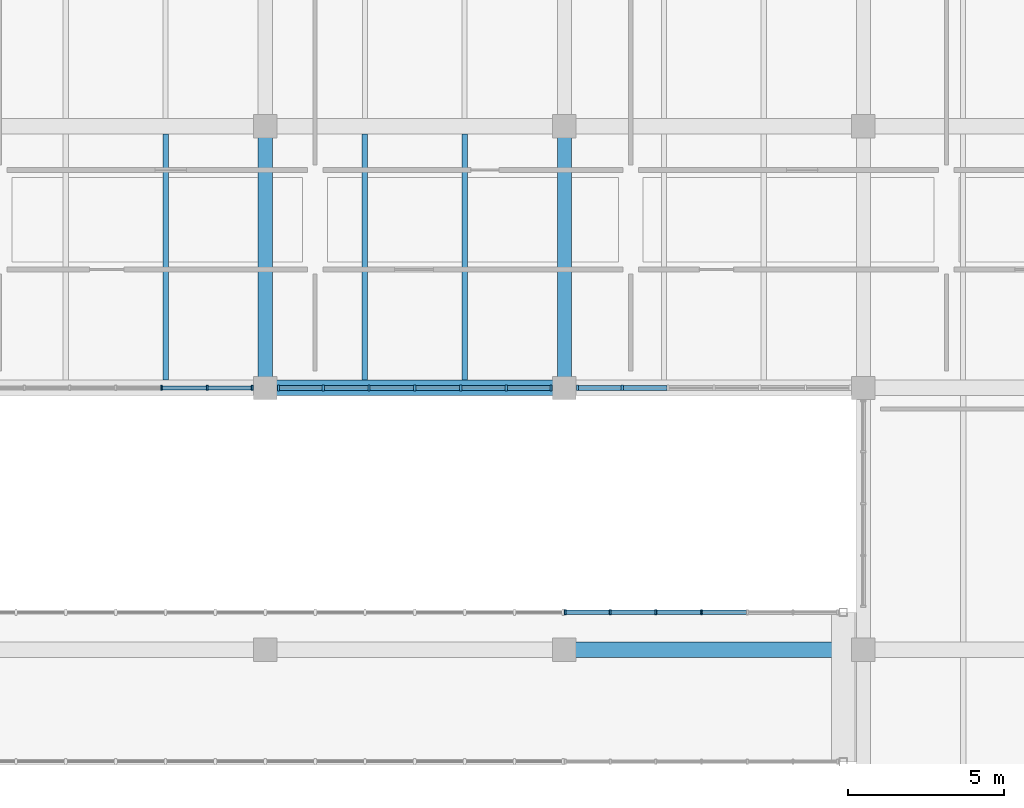
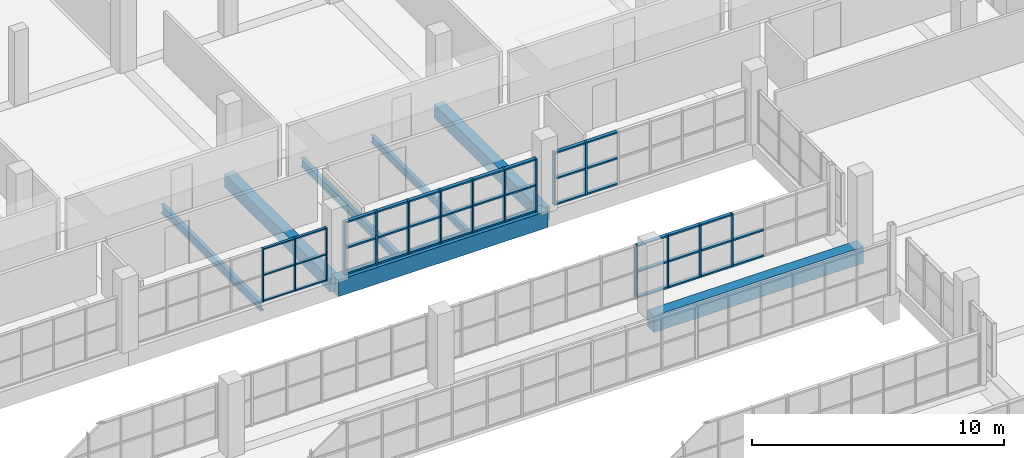
# One storey, part 66 of 147: 57 members, 7 beams, 4 elements without a shape of their own.
"""IFC4 building model written with IfcOpenShell, lengths in metres."""

from ifc_helpers import new_model, si_unit, direction, frame, origin, origin_2d, place, context, subcontext, project, spatial, rectangle, i_section, extrude, material, material_profile, profile_set, type_object, element, aggregate, save


model = new_model("IFC4")

# Units and contexts
model_context = context("Model", 3, precision=1e-05, world=origin(), true_north=direction((0.0, 1.0)))
body_context = subcontext(model_context, "Body", "Model", "MODEL_VIEW")
ifc_project = project(units=[si_unit("LENGTHUNIT", "METRE"), si_unit("AREAUNIT", "SQUARE_METRE"), si_unit("VOLUMEUNIT", "CUBIC_METRE"), si_unit("PLANEANGLEUNIT", "RADIAN"), si_unit("MASSUNIT", "GRAM", prefix="KILO")], contexts=[model_context])

# Site, building, storey
site_placement = place(None, origin())
site = spatial("IfcSite", under=ifc_project, at=site_placement, CompositionType="ELEMENT")
building_placement = place(site_placement, origin())
building = spatial("IfcBuilding", under=site, at=building_placement, Name="Oolite Switchyard Hospital", CompositionType="ELEMENT")
storey_placement = place(building_placement, frame((0.0, 0.0, 9.89990234375)))
storey = spatial("IfcBuildingStorey", under=building, at=storey_placement, Name="L02", CompositionType="ELEMENT", Elevation=9.89990234375)

# Beams
ifc_material_1 = material(Name="Concrete C40/50", Category="concrete")
ifc_material_profile_1 = material_profile(ifc_material_1, rectangle(XDim=0.449951171875, YDim=0.64990234375, at=origin_2d()), Name="RCB450X650")
ifc_profile_set_1 = profile_set([ifc_material_profile_1], Name="Concrete C40/50")
beam_type_1 = type_object("IfcBeamType", Name="BM-RC450X650", PredefinedType="BEAM", material=ifc_profile_set_1)
for number, where, z_axis, x_axis, name in (
    (1, (163.199951171875, 58.800048828125, -0.324951171875), (0.0, 1.0, 0.0), (-1.0, 0.0, 0.0), "L02 Y-Girder 1445"),
    (2, (172.800048828125, 58.800048828125, -0.324951171875), (0.0, 1.0, 0.0), (-1.0, 0.0, 0.0), "L02 Y-Girder 1456"),
):
    element("IfcBeam", number, at=place(storey_placement, frame(where, z_axis=z_axis, x_axis=x_axis)), inside=storey, type_object=beam_type_1, Name=name, PredefinedType="BEAM", context=body_context, shape_type="SweptSolid", body=[
        extrude(rectangle(XDim=0.449951171875, YDim=0.64990234375, at=origin_2d()), origin(), (0.0, 0.0, 1.0), 8.39990234375),
    ])
ifc_material_profile_2 = material_profile(ifc_material_1, rectangle(XDim=0.5, YDim=0.800048828125, at=origin_2d()), Name="RCB500X800")
ifc_profile_set_2 = profile_set([ifc_material_profile_2], Name="Concrete C40/50")
beam_type_2 = type_object("IfcBeamType", Name="BM-RC500X800", PredefinedType="BEAM", material=ifc_profile_set_2)
beam_1_placement = place(storey_placement, frame((172.800048828125, 50.39990234375, -0.39990234375), z_axis=(1.0, 0.0, 0.0), x_axis=(0.0, 1.0, 0.0)))
element("IfcBeam", 3, at=beam_1_placement, inside=storey, type_object=beam_type_2, Name="L02 X-Girder 1074", PredefinedType="BEAM", context=body_context, shape_type="SweptSolid", body=[
    extrude(rectangle(XDim=0.5, YDim=0.800048828125, at=origin_2d()), origin(), (0.0, 0.0, 1.0), 9.599853515625),
])
beam_2_placement = place(storey_placement, frame((163.199951171875, 58.800048828125, -0.39990234375), z_axis=(1.0, 0.0, 0.0), x_axis=(0.0, 1.0, 0.0)))
element("IfcBeam", 4, at=beam_2_placement, inside=storey, type_object=beam_type_2, Name="L02 X-Girder 1089", PredefinedType="BEAM", context=body_context, shape_type="SweptSolid", body=[
    extrude(rectangle(XDim=0.5, YDim=0.800048828125, at=origin_2d()), origin(), (0.0, 0.0, 1.0), 9.60009765625),
])
ifc_material_2 = material(Name="Steel ASTM A992 Grade 50", Category="steel")
ifc_material_profile_3 = material_profile(ifc_material_2, i_section(OverallWidth=0.1708984375, OverallDepth=0.35107421875, WebThickness=0.007080078125, FlangeThickness=0.010009765625, at=origin_2d()), Name="W14X30")
ifc_profile_set_3 = profile_set([ifc_material_profile_3], Name="Steel ASTM A992 Grade 50")
beam_type_3 = type_object("IfcBeamType", Name="BM-W14X30", PredefinedType="JOIST", material=ifc_profile_set_3)
beam_3_placement = place(storey_placement, frame((169.60009765625, 59.050048828125, -0.434814453125), z_axis=(0.0, 1.0, 0.0), x_axis=(-1.0, 0.0, 0.0)))
element("IfcBeam", 5, at=beam_3_placement, inside=storey, type_object=beam_type_3, Name="L02 Secondary Steel Joist 1837", PredefinedType="JOIST", context=body_context, shape_type="SweptSolid", body=[
    extrude(i_section(OverallWidth=0.1708984375, OverallDepth=0.35107421875, WebThickness=0.007080078125, FlangeThickness=0.010009765625, at=origin_2d()), origin(), (0.0, 0.0, 1.0), 7.89990234375),
])
ifc_material_profile_4 = material_profile(ifc_material_2, i_section(OverallWidth=0.177978515625, OverallDepth=0.403076171875, WebThickness=0.008056640625, FlangeThickness=0.010986328125, at=origin_2d()), Name="W16X36")
ifc_profile_set_4 = profile_set([ifc_material_profile_4], Name="Steel ASTM A992 Grade 50")
beam_type_4 = type_object("IfcBeamType", Name="BM-W16X36", PredefinedType="JOIST", material=ifc_profile_set_4)
for number, where, z_axis, x_axis, name in (
    (6, (160.0, 59.050048828125, -0.4609375), (0.0, 1.0, 0.0), (-1.0, 0.0, 0.0), "L02 Secondary Steel Joist 1817"),
    (7, (166.39990234375, 59.050048828125, -0.4609375), (0.0, 1.0, 0.0), (-1.0, 0.0, 0.0), "L02 Secondary Steel Joist 1836"),
):
    element("IfcBeam", number, at=place(storey_placement, frame(where, z_axis=z_axis, x_axis=x_axis)), inside=storey, type_object=beam_type_4, Name=name, PredefinedType="JOIST", context=body_context, shape_type="SweptSolid", body=[
        extrude(i_section(OverallWidth=0.177978515625, OverallDepth=0.403076171875, WebThickness=0.008056640625, FlangeThickness=0.010986328125, at=origin_2d()), origin(), (0.0, 0.0, 1.0), 7.89990234375),
    ])

# Curtain wall, members
ifc_material_3 = material(Name="Thermally broken aluminum frame with laminated impact glazing", Category="aluminium")
curtain_wall_type_1 = type_object("IfcCurtainWallType", Name="CW-BRG-96X38", PredefinedType="USERDEFINED", material=ifc_material_3)
curtain_wall_1_placement = place(storey_placement, origin())
curtain_wall_1 = element("IfcCurtainWall", 8, at=curtain_wall_1_placement, inside=storey, type_object=curtain_wall_type_1, Name="L02 Unitised Curtain Wall 241", ObjectType="UNITISED", PredefinedType="USERDEFINED")
ifc_material_4 = material(Name="Aluminium 6063-T6", Category="aluminium")
ifc_material_profile_5 = material_profile(ifc_material_4, rectangle(XDim=0.159912109375, YDim=0.06005859375, at=origin_2d()), Name="CWM60X160")
ifc_profile_set_5 = profile_set([ifc_material_profile_5], Name="Aluminium 6063-T6")
member_type_1 = type_object("IfcMemberType", Name="CW-MUL-180", PredefinedType="MULLION", material=ifc_profile_set_5)
member_1_placement = place(storey_placement, frame((172.830078125, 51.60009765625, 0.0), z_axis=(0.0, 0.0, 1.0), x_axis=(0.0, 1.0, 0.0)))
member_1 = element("IfcMember", 9, at=member_1_placement, type_object=member_type_1, Name="CW-12 mullion 1", PredefinedType="MULLION", context=body_context, shape_type="SweptSolid", body=[
    extrude(rectangle(XDim=0.159912109375, YDim=0.06005859375, at=origin_2d()), origin(), (0.0, 0.0, 1.0), 2.570068359375),
])
member_2_placement = place(storey_placement, frame((174.26806640625, 51.60009765625, 0.0), z_axis=(0.0, 0.0, 1.0), x_axis=(0.0, 1.0, 0.0)))
member_2 = element("IfcMember", 10, at=member_2_placement, type_object=member_type_1, Name="CW-12 mullion 2", PredefinedType="MULLION", context=body_context, shape_type="SweptSolid", body=[
    extrude(rectangle(XDim=0.159912109375, YDim=0.06005859375, at=origin_2d()), origin(), (0.0, 0.0, 1.0), 2.570068359375),
])
member_3_placement = place(storey_placement, frame((175.736083984375, 51.60009765625, 0.0), z_axis=(0.0, 0.0, 1.0), x_axis=(0.0, 1.0, 0.0)))
member_3 = element("IfcMember", 11, at=member_3_placement, type_object=member_type_1, Name="CW-12 mullion 3", PredefinedType="MULLION", context=body_context, shape_type="SweptSolid", body=[
    extrude(rectangle(XDim=0.159912109375, YDim=0.06005859375, at=origin_2d()), origin(), (0.0, 0.0, 1.0), 2.570068359375),
])
member_4_placement = place(storey_placement, frame((177.2041015625, 51.60009765625, 0.0), z_axis=(0.0, 0.0, 1.0), x_axis=(0.0, 1.0, 0.0)))
member_4 = element("IfcMember", 12, at=member_4_placement, type_object=member_type_1, Name="CW-12 mullion 4", PredefinedType="MULLION", context=body_context, shape_type="SweptSolid", body=[
    extrude(rectangle(XDim=0.159912109375, YDim=0.06005859375, at=origin_2d()), origin(), (0.0, 0.0, 1.0), 2.570068359375),
])

curtain_wall_type_2 = type_object("IfcCurtainWallType", Name="CW-UNIT-96X36", PredefinedType="USERDEFINED", material=ifc_material_3)
curtain_wall_2_placement = place(storey_placement, origin())
curtain_wall_2 = element("IfcCurtainWall", 13, at=curtain_wall_2_placement, inside=storey, type_object=curtain_wall_type_2, Name="L02 Unitised Curtain Wall 244", ObjectType="UNITISED", PredefinedType="USERDEFINED")
member_5_placement = place(storey_placement, frame((162.780029296875, 58.800048828125, 0.0), z_axis=(0.0, 0.0, 1.0), x_axis=(0.0, -1.0, 0.0)))
member_5 = element("IfcMember", 14, at=member_5_placement, type_object=member_type_1, Name="CW-03 mullion 1", PredefinedType="MULLION", context=body_context, shape_type="SweptSolid", body=[
    extrude(rectangle(XDim=0.159912109375, YDim=0.06005859375, at=origin_2d()), origin(), (0.0, 0.0, 1.0), 2.570068359375),
])
member_6_placement = place(storey_placement, frame((161.340087890625, 58.800048828125, 0.0), z_axis=(0.0, 0.0, 1.0), x_axis=(0.0, -1.0, 0.0)))
member_6 = element("IfcMember", 15, at=member_6_placement, type_object=member_type_1, Name="CW-03 mullion 2", PredefinedType="MULLION", context=body_context, shape_type="SweptSolid", body=[
    extrude(rectangle(XDim=0.159912109375, YDim=0.06005859375, at=origin_2d()), origin(), (0.0, 0.0, 1.0), 2.570068359375),
])
member_7_placement = place(storey_placement, frame((159.8701171875, 58.800048828125, 0.0), z_axis=(0.0, 0.0, 1.0), x_axis=(0.0, -1.0, 0.0)))
member_7 = element("IfcMember", 16, at=member_7_placement, type_object=member_type_1, Name="CW-03 mullion 3", PredefinedType="MULLION", context=body_context, shape_type="SweptSolid", body=[
    extrude(rectangle(XDim=0.159912109375, YDim=0.06005859375, at=origin_2d()), origin(), (0.0, 0.0, 1.0), 2.570068359375),
])

curtain_wall_3_placement = place(storey_placement, origin())
curtain_wall_3 = element("IfcCurtainWall", 17, at=curtain_wall_3_placement, inside=storey, type_object=curtain_wall_type_2, Name="L02 Unitised Curtain Wall 245", ObjectType="UNITISED", PredefinedType="USERDEFINED")
ifc_material_profile_6 = material_profile(ifc_material_4, rectangle(XDim=0.179931640625, YDim=0.070068359375, at=origin_2d()), Name="CWM70X180")
ifc_profile_set_6 = profile_set([ifc_material_profile_6], Name="Aluminium 6063-T6")
member_type_2 = type_object("IfcMemberType", Name="CW-MUL-220", PredefinedType="MULLION", material=ifc_profile_set_6)
member_8_placement = place(storey_placement, frame((174.659912109375, 58.800048828125, 0.0), z_axis=(0.0, 0.0, 1.0), x_axis=(0.0, -1.0, 0.0)))
member_8 = element("IfcMember", 18, at=member_8_placement, type_object=member_type_2, Name="CW-03 mullion 6", PredefinedType="MULLION", context=body_context, shape_type="SweptSolid", body=[
    extrude(rectangle(XDim=0.179931640625, YDim=0.070068359375, at=origin_2d()), origin(), (0.0, 0.0, 1.0), 2.570068359375),
])
member_9_placement = place(storey_placement, frame((173.22509765625, 58.800048828125, 0.0), z_axis=(0.0, 0.0, 1.0), x_axis=(0.0, -1.0, 0.0)))
member_9 = element("IfcMember", 19, at=member_9_placement, type_object=member_type_2, Name="CW-03 mullion 7", PredefinedType="MULLION", context=body_context, shape_type="SweptSolid", body=[
    extrude(rectangle(XDim=0.179931640625, YDim=0.070068359375, at=origin_2d()), origin(), (0.0, 0.0, 1.0), 2.570068359375),
])

curtain_wall_4_placement = place(storey_placement, origin())
curtain_wall_4 = element("IfcCurtainWall", 20, at=curtain_wall_4_placement, inside=storey, type_object=curtain_wall_type_2, Name="L02 Unitised Curtain Wall 243", ObjectType="UNITISED", PredefinedType="USERDEFINED")
ifc_material_profile_7 = material_profile(ifc_material_4, rectangle(XDim=0.199951171875, YDim=0.074951171875, at=origin_2d()), Name="CWM75X200")
ifc_profile_set_7 = profile_set([ifc_material_profile_7], Name="Aluminium 6063-T6")
member_type_3 = type_object("IfcMemberType", Name="CW-MUL-260", PredefinedType="MULLION", material=ifc_profile_set_7)
member_10_placement = place(storey_placement, frame((172.37255859375, 58.800048828125, 0.0), z_axis=(0.0, 0.0, 1.0), x_axis=(0.0, -1.0, 0.0)))
member_10 = element("IfcMember", 21, at=member_10_placement, type_object=member_type_3, Name="CW-03 mullion 1", PredefinedType="MULLION", context=body_context, shape_type="SweptSolid", body=[
    extrude(rectangle(XDim=0.199951171875, YDim=0.074951171875, at=origin_2d()), origin(), (0.0, 0.0, 1.0), 2.570068359375),
])
member_11_placement = place(storey_placement, frame((170.93994140625, 58.800048828125, 0.0), z_axis=(0.0, 0.0, 1.0), x_axis=(0.0, -1.0, 0.0)))
member_11 = element("IfcMember", 22, at=member_11_placement, type_object=member_type_3, Name="CW-03 mullion 2", PredefinedType="MULLION", context=body_context, shape_type="SweptSolid", body=[
    extrude(rectangle(XDim=0.199951171875, YDim=0.074951171875, at=origin_2d()), origin(), (0.0, 0.0, 1.0), 2.570068359375),
])
member_12_placement = place(storey_placement, frame((169.469970703125, 58.800048828125, 0.0), z_axis=(0.0, 0.0, 1.0), x_axis=(0.0, -1.0, 0.0)))
member_12 = element("IfcMember", 23, at=member_12_placement, type_object=member_type_3, Name="CW-03 mullion 3", PredefinedType="MULLION", context=body_context, shape_type="SweptSolid", body=[
    extrude(rectangle(XDim=0.199951171875, YDim=0.074951171875, at=origin_2d()), origin(), (0.0, 0.0, 1.0), 2.570068359375),
])
member_13_placement = place(storey_placement, frame((168.0, 58.800048828125, 0.0), z_axis=(0.0, 0.0, 1.0), x_axis=(0.0, -1.0, 0.0)))
member_13 = element("IfcMember", 24, at=member_13_placement, type_object=member_type_3, Name="CW-03 mullion 4", PredefinedType="MULLION", context=body_context, shape_type="SweptSolid", body=[
    extrude(rectangle(XDim=0.199951171875, YDim=0.074951171875, at=origin_2d()), origin(), (0.0, 0.0, 1.0), 2.570068359375),
])
member_14_placement = place(storey_placement, frame((166.530029296875, 58.800048828125, 0.0), z_axis=(0.0, 0.0, 1.0), x_axis=(0.0, -1.0, 0.0)))
member_14 = element("IfcMember", 25, at=member_14_placement, type_object=member_type_3, Name="CW-03 mullion 5", PredefinedType="MULLION", context=body_context, shape_type="SweptSolid", body=[
    extrude(rectangle(XDim=0.199951171875, YDim=0.074951171875, at=origin_2d()), origin(), (0.0, 0.0, 1.0), 2.570068359375),
])
member_15_placement = place(storey_placement, frame((165.06005859375, 58.800048828125, 0.0), z_axis=(0.0, 0.0, 1.0), x_axis=(0.0, -1.0, 0.0)))
member_15 = element("IfcMember", 26, at=member_15_placement, type_object=member_type_3, Name="CW-03 mullion 6", PredefinedType="MULLION", context=body_context, shape_type="SweptSolid", body=[
    extrude(rectangle(XDim=0.199951171875, YDim=0.074951171875, at=origin_2d()), origin(), (0.0, 0.0, 1.0), 2.570068359375),
])
member_16_placement = place(storey_placement, frame((163.62744140625, 58.800048828125, 0.0), z_axis=(0.0, 0.0, 1.0), x_axis=(0.0, -1.0, 0.0)))
member_16 = element("IfcMember", 27, at=member_16_placement, type_object=member_type_3, Name="CW-03 mullion 7", PredefinedType="MULLION", context=body_context, shape_type="SweptSolid", body=[
    extrude(rectangle(XDim=0.199951171875, YDim=0.074951171875, at=origin_2d()), origin(), (0.0, 0.0, 1.0), 2.570068359375),
])

# Member
ifc_material_profile_8 = material_profile(ifc_material_4, rectangle(XDim=0.1201171875, YDim=0.06005859375, at=origin_2d()), Name="CWT60X120")
ifc_profile_set_8 = profile_set([ifc_material_profile_8], Name="Aluminium 6063-T6")
member_type_4 = type_object("IfcMemberType", Name="CW-TRN-150", PredefinedType="USERDEFINED", material=ifc_profile_set_8)
member_17_placement = place(storey_placement, frame((162.75, 58.800048828125, 0.030029296875), z_axis=(-1.0, 0.0, 0.0), x_axis=(0.0, -1.0, 0.0)))
member_17 = element("IfcMember", 28, at=member_17_placement, type_object=member_type_4, Name="CW-03 transom 1.1", ObjectType="TRANSOM", PredefinedType="USERDEFINED", context=body_context, shape_type="SweptSolid", body=[
    extrude(rectangle(XDim=0.1201171875, YDim=0.06005859375, at=origin_2d()), origin(), (0.0, 0.0, 1.0), 1.3798828125),
])

member_18_placement = place(storey_placement, frame((162.75, 58.800048828125, 1.28515625), z_axis=(-1.0, 0.0, 0.0), x_axis=(0.0, -1.0, 0.0)))
member_18 = element("IfcMember", 29, at=member_18_placement, type_object=member_type_4, Name="CW-03 transom 1.2", ObjectType="TRANSOM", PredefinedType="USERDEFINED", context=body_context, shape_type="SweptSolid", body=[
    extrude(rectangle(XDim=0.1201171875, YDim=0.06005859375, at=origin_2d()), origin(), (0.0, 0.0, 1.0), 1.3798828125),
])

member_19_placement = place(storey_placement, frame((162.75, 58.800048828125, 2.5400390625), z_axis=(-1.0, 0.0, 0.0), x_axis=(0.0, -1.0, 0.0)))
member_19 = element("IfcMember", 30, at=member_19_placement, type_object=member_type_4, Name="CW-03 transom 1.3", ObjectType="TRANSOM", PredefinedType="USERDEFINED", context=body_context, shape_type="SweptSolid", body=[
    extrude(rectangle(XDim=0.1201171875, YDim=0.06005859375, at=origin_2d()), origin(), (0.0, 0.0, 1.0), 1.3798828125),
])

member_20_placement = place(storey_placement, frame((161.31005859375, 58.800048828125, 0.030029296875), z_axis=(-1.0, 0.0, 0.0), x_axis=(0.0, -1.0, 0.0)))
member_20 = element("IfcMember", 31, at=member_20_placement, type_object=member_type_4, Name="CW-03 transom 2.1", ObjectType="TRANSOM", PredefinedType="USERDEFINED", context=body_context, shape_type="SweptSolid", body=[
    extrude(rectangle(XDim=0.1201171875, YDim=0.06005859375, at=origin_2d()), origin(), (0.0, 0.0, 1.0), 1.41015625),
])

member_21_placement = place(storey_placement, frame((161.31005859375, 58.800048828125, 1.28515625), z_axis=(-1.0, 0.0, 0.0), x_axis=(0.0, -1.0, 0.0)))
member_21 = element("IfcMember", 32, at=member_21_placement, type_object=member_type_4, Name="CW-03 transom 2.2", ObjectType="TRANSOM", PredefinedType="USERDEFINED", context=body_context, shape_type="SweptSolid", body=[
    extrude(rectangle(XDim=0.1201171875, YDim=0.06005859375, at=origin_2d()), origin(), (0.0, 0.0, 1.0), 1.41015625),
])

member_22_placement = place(storey_placement, frame((161.31005859375, 58.800048828125, 2.5400390625), z_axis=(-1.0, 0.0, 0.0), x_axis=(0.0, -1.0, 0.0)))
member_22 = element("IfcMember", 33, at=member_22_placement, type_object=member_type_4, Name="CW-03 transom 2.3", ObjectType="TRANSOM", PredefinedType="USERDEFINED", context=body_context, shape_type="SweptSolid", body=[
    extrude(rectangle(XDim=0.1201171875, YDim=0.06005859375, at=origin_2d()), origin(), (0.0, 0.0, 1.0), 1.41015625),
])

aggregate(curtain_wall_2, [member_5, member_6, member_7, member_17, member_18, member_19, member_20, member_21, member_22])

ifc_material_profile_9 = material_profile(ifc_material_4, rectangle(XDim=0.159912109375, YDim=0.074951171875, at=origin_2d()), Name="CWT75X160")
ifc_profile_set_9 = profile_set([ifc_material_profile_9], Name="Aluminium 6063-T6")
member_type_5 = type_object("IfcMemberType", Name="CW-TRN-180", PredefinedType="USERDEFINED", material=ifc_profile_set_9)
member_23_placement = place(storey_placement, frame((172.860107421875, 51.60009765625, 0.03759765625), z_axis=(1.0, 0.0, 0.0), x_axis=(0.0, 1.0, 0.0)))
member_23 = element("IfcMember", 34, at=member_23_placement, type_object=member_type_5, Name="CW-12 transom 1.1", ObjectType="TRANSOM", PredefinedType="USERDEFINED", context=body_context, shape_type="SweptSolid", body=[
    extrude(rectangle(XDim=0.159912109375, YDim=0.074951171875, at=origin_2d()), origin(), (0.0, 0.0, 1.0), 1.3779296875),
])

member_24_placement = place(storey_placement, frame((172.860107421875, 51.60009765625, 1.28515625), z_axis=(1.0, 0.0, 0.0), x_axis=(0.0, 1.0, 0.0)))
member_24 = element("IfcMember", 35, at=member_24_placement, type_object=member_type_5, Name="CW-12 transom 1.2", ObjectType="TRANSOM", PredefinedType="USERDEFINED", context=body_context, shape_type="SweptSolid", body=[
    extrude(rectangle(XDim=0.159912109375, YDim=0.074951171875, at=origin_2d()), origin(), (0.0, 0.0, 1.0), 1.3779296875),
])

member_25_placement = place(storey_placement, frame((172.860107421875, 51.60009765625, 2.53271484375), z_axis=(1.0, 0.0, 0.0), x_axis=(0.0, 1.0, 0.0)))
member_25 = element("IfcMember", 36, at=member_25_placement, type_object=member_type_5, Name="CW-12 transom 1.3", ObjectType="TRANSOM", PredefinedType="USERDEFINED", context=body_context, shape_type="SweptSolid", body=[
    extrude(rectangle(XDim=0.159912109375, YDim=0.074951171875, at=origin_2d()), origin(), (0.0, 0.0, 1.0), 1.3779296875),
])

member_26_placement = place(storey_placement, frame((174.298095703125, 51.60009765625, 0.03759765625), z_axis=(1.0, 0.0, 0.0), x_axis=(0.0, 1.0, 0.0)))
member_26 = element("IfcMember", 37, at=member_26_placement, type_object=member_type_5, Name="CW-12 transom 2.1", ObjectType="TRANSOM", PredefinedType="USERDEFINED", context=body_context, shape_type="SweptSolid", body=[
    extrude(rectangle(XDim=0.159912109375, YDim=0.074951171875, at=origin_2d()), origin(), (0.0, 0.0, 1.0), 1.407958984375),
])

member_27_placement = place(storey_placement, frame((174.298095703125, 51.60009765625, 1.28515625), z_axis=(1.0, 0.0, 0.0), x_axis=(0.0, 1.0, 0.0)))
member_27 = element("IfcMember", 38, at=member_27_placement, type_object=member_type_5, Name="CW-12 transom 2.2", ObjectType="TRANSOM", PredefinedType="USERDEFINED", context=body_context, shape_type="SweptSolid", body=[
    extrude(rectangle(XDim=0.159912109375, YDim=0.074951171875, at=origin_2d()), origin(), (0.0, 0.0, 1.0), 1.407958984375),
])

member_28_placement = place(storey_placement, frame((174.298095703125, 51.60009765625, 2.53271484375), z_axis=(1.0, 0.0, 0.0), x_axis=(0.0, 1.0, 0.0)))
member_28 = element("IfcMember", 39, at=member_28_placement, type_object=member_type_5, Name="CW-12 transom 2.3", ObjectType="TRANSOM", PredefinedType="USERDEFINED", context=body_context, shape_type="SweptSolid", body=[
    extrude(rectangle(XDim=0.159912109375, YDim=0.074951171875, at=origin_2d()), origin(), (0.0, 0.0, 1.0), 1.407958984375),
])

member_29_placement = place(storey_placement, frame((175.76611328125, 51.60009765625, 0.03759765625), z_axis=(1.0, 0.0, 0.0), x_axis=(0.0, 1.0, 0.0)))
member_29 = element("IfcMember", 40, at=member_29_placement, type_object=member_type_5, Name="CW-12 transom 3.1", ObjectType="TRANSOM", PredefinedType="USERDEFINED", context=body_context, shape_type="SweptSolid", body=[
    extrude(rectangle(XDim=0.159912109375, YDim=0.074951171875, at=origin_2d()), origin(), (0.0, 0.0, 1.0), 1.407958984375),
])

member_30_placement = place(storey_placement, frame((175.76611328125, 51.60009765625, 1.28515625), z_axis=(1.0, 0.0, 0.0), x_axis=(0.0, 1.0, 0.0)))
member_30 = element("IfcMember", 41, at=member_30_placement, type_object=member_type_5, Name="CW-12 transom 3.2", ObjectType="TRANSOM", PredefinedType="USERDEFINED", context=body_context, shape_type="SweptSolid", body=[
    extrude(rectangle(XDim=0.159912109375, YDim=0.074951171875, at=origin_2d()), origin(), (0.0, 0.0, 1.0), 1.407958984375),
])

member_31_placement = place(storey_placement, frame((175.76611328125, 51.60009765625, 2.53271484375), z_axis=(1.0, 0.0, 0.0), x_axis=(0.0, 1.0, 0.0)))
member_31 = element("IfcMember", 42, at=member_31_placement, type_object=member_type_5, Name="CW-12 transom 3.3", ObjectType="TRANSOM", PredefinedType="USERDEFINED", context=body_context, shape_type="SweptSolid", body=[
    extrude(rectangle(XDim=0.159912109375, YDim=0.074951171875, at=origin_2d()), origin(), (0.0, 0.0, 1.0), 1.407958984375),
])

member_32_placement = place(storey_placement, frame((177.23388671875, 51.60009765625, 0.03759765625), z_axis=(1.0, 0.0, 0.0), x_axis=(0.0, 1.0, 0.0)))
member_32 = element("IfcMember", 43, at=member_32_placement, type_object=member_type_5, Name="CW-12 transom 4.1", ObjectType="TRANSOM", PredefinedType="USERDEFINED", context=body_context, shape_type="SweptSolid", body=[
    extrude(rectangle(XDim=0.159912109375, YDim=0.074951171875, at=origin_2d()), origin(), (0.0, 0.0, 1.0), 1.408203125),
])

member_33_placement = place(storey_placement, frame((177.23388671875, 51.60009765625, 1.28515625), z_axis=(1.0, 0.0, 0.0), x_axis=(0.0, 1.0, 0.0)))
member_33 = element("IfcMember", 44, at=member_33_placement, type_object=member_type_5, Name="CW-12 transom 4.2", ObjectType="TRANSOM", PredefinedType="USERDEFINED", context=body_context, shape_type="SweptSolid", body=[
    extrude(rectangle(XDim=0.159912109375, YDim=0.074951171875, at=origin_2d()), origin(), (0.0, 0.0, 1.0), 1.408203125),
])

aggregate(curtain_wall_1, [member_1, member_2, member_3, member_4, member_23, member_24, member_25, member_26, member_27, member_28, member_29, member_30, member_31, member_32, member_33])

member_34_placement = place(storey_placement, frame((172.3349609375, 58.800048828125, 0.03759765625), z_axis=(-1.0, 0.0, 0.0), x_axis=(0.0, -1.0, 0.0)))
member_34 = element("IfcMember", 45, at=member_34_placement, type_object=member_type_5, Name="CW-03 transom 1.1", ObjectType="TRANSOM", PredefinedType="USERDEFINED", context=body_context, shape_type="SweptSolid", body=[
    extrude(rectangle(XDim=0.159912109375, YDim=0.074951171875, at=origin_2d()), origin(), (0.0, 0.0, 1.0), 1.357421875),
])

member_35_placement = place(storey_placement, frame((172.3349609375, 58.800048828125, 1.28515625), z_axis=(-1.0, 0.0, 0.0), x_axis=(0.0, -1.0, 0.0)))
member_35 = element("IfcMember", 46, at=member_35_placement, type_object=member_type_5, Name="CW-03 transom 1.2", ObjectType="TRANSOM", PredefinedType="USERDEFINED", context=body_context, shape_type="SweptSolid", body=[
    extrude(rectangle(XDim=0.159912109375, YDim=0.074951171875, at=origin_2d()), origin(), (0.0, 0.0, 1.0), 1.357421875),
])

member_36_placement = place(storey_placement, frame((172.3349609375, 58.800048828125, 2.53271484375), z_axis=(-1.0, 0.0, 0.0), x_axis=(0.0, -1.0, 0.0)))
member_36 = element("IfcMember", 47, at=member_36_placement, type_object=member_type_5, Name="CW-03 transom 1.3", ObjectType="TRANSOM", PredefinedType="USERDEFINED", context=body_context, shape_type="SweptSolid", body=[
    extrude(rectangle(XDim=0.159912109375, YDim=0.074951171875, at=origin_2d()), origin(), (0.0, 0.0, 1.0), 1.357421875),
])

member_37_placement = place(storey_placement, frame((170.902587890625, 58.800048828125, 0.03759765625), z_axis=(-1.0, 0.0, 0.0), x_axis=(0.0, -1.0, 0.0)))
member_37 = element("IfcMember", 48, at=member_37_placement, type_object=member_type_5, Name="CW-03 transom 2.1", ObjectType="TRANSOM", PredefinedType="USERDEFINED", context=body_context, shape_type="SweptSolid", body=[
    extrude(rectangle(XDim=0.159912109375, YDim=0.074951171875, at=origin_2d()), origin(), (0.0, 0.0, 1.0), 1.39501953125),
])

member_38_placement = place(storey_placement, frame((170.902587890625, 58.800048828125, 1.28515625), z_axis=(-1.0, 0.0, 0.0), x_axis=(0.0, -1.0, 0.0)))
member_38 = element("IfcMember", 49, at=member_38_placement, type_object=member_type_5, Name="CW-03 transom 2.2", ObjectType="TRANSOM", PredefinedType="USERDEFINED", context=body_context, shape_type="SweptSolid", body=[
    extrude(rectangle(XDim=0.159912109375, YDim=0.074951171875, at=origin_2d()), origin(), (0.0, 0.0, 1.0), 1.39501953125),
])

member_39_placement = place(storey_placement, frame((170.902587890625, 58.800048828125, 2.53271484375), z_axis=(-1.0, 0.0, 0.0), x_axis=(0.0, -1.0, 0.0)))
member_39 = element("IfcMember", 50, at=member_39_placement, type_object=member_type_5, Name="CW-03 transom 2.3", ObjectType="TRANSOM", PredefinedType="USERDEFINED", context=body_context, shape_type="SweptSolid", body=[
    extrude(rectangle(XDim=0.159912109375, YDim=0.074951171875, at=origin_2d()), origin(), (0.0, 0.0, 1.0), 1.39501953125),
])

member_40_placement = place(storey_placement, frame((169.4326171875, 58.800048828125, 0.03759765625), z_axis=(-1.0, 0.0, 0.0), x_axis=(0.0, -1.0, 0.0)))
member_40 = element("IfcMember", 51, at=member_40_placement, type_object=member_type_5, Name="CW-03 transom 3.1", ObjectType="TRANSOM", PredefinedType="USERDEFINED", context=body_context, shape_type="SweptSolid", body=[
    extrude(rectangle(XDim=0.159912109375, YDim=0.074951171875, at=origin_2d()), origin(), (0.0, 0.0, 1.0), 1.39501953125),
])

member_41_placement = place(storey_placement, frame((169.4326171875, 58.800048828125, 1.28515625), z_axis=(-1.0, 0.0, 0.0), x_axis=(0.0, -1.0, 0.0)))
member_41 = element("IfcMember", 52, at=member_41_placement, type_object=member_type_5, Name="CW-03 transom 3.2", ObjectType="TRANSOM", PredefinedType="USERDEFINED", context=body_context, shape_type="SweptSolid", body=[
    extrude(rectangle(XDim=0.159912109375, YDim=0.074951171875, at=origin_2d()), origin(), (0.0, 0.0, 1.0), 1.39501953125),
])

member_42_placement = place(storey_placement, frame((169.4326171875, 58.800048828125, 2.53271484375), z_axis=(-1.0, 0.0, 0.0), x_axis=(0.0, -1.0, 0.0)))
member_42 = element("IfcMember", 53, at=member_42_placement, type_object=member_type_5, Name="CW-03 transom 3.3", ObjectType="TRANSOM", PredefinedType="USERDEFINED", context=body_context, shape_type="SweptSolid", body=[
    extrude(rectangle(XDim=0.159912109375, YDim=0.074951171875, at=origin_2d()), origin(), (0.0, 0.0, 1.0), 1.39501953125),
])

member_43_placement = place(storey_placement, frame((167.96240234375, 58.800048828125, 0.03759765625), z_axis=(-1.0, 0.0, 0.0), x_axis=(0.0, -1.0, 0.0)))
member_43 = element("IfcMember", 54, at=member_43_placement, type_object=member_type_5, Name="CW-03 transom 4.1", ObjectType="TRANSOM", PredefinedType="USERDEFINED", context=body_context, shape_type="SweptSolid", body=[
    extrude(rectangle(XDim=0.159912109375, YDim=0.074951171875, at=origin_2d()), origin(), (0.0, 0.0, 1.0), 1.39501953125),
])

member_44_placement = place(storey_placement, frame((167.96240234375, 58.800048828125, 1.28515625), z_axis=(-1.0, 0.0, 0.0), x_axis=(0.0, -1.0, 0.0)))
member_44 = element("IfcMember", 55, at=member_44_placement, type_object=member_type_5, Name="CW-03 transom 4.2", ObjectType="TRANSOM", PredefinedType="USERDEFINED", context=body_context, shape_type="SweptSolid", body=[
    extrude(rectangle(XDim=0.159912109375, YDim=0.074951171875, at=origin_2d()), origin(), (0.0, 0.0, 1.0), 1.39501953125),
])

member_45_placement = place(storey_placement, frame((167.96240234375, 58.800048828125, 2.53271484375), z_axis=(-1.0, 0.0, 0.0), x_axis=(0.0, -1.0, 0.0)))
member_45 = element("IfcMember", 56, at=member_45_placement, type_object=member_type_5, Name="CW-03 transom 4.3", ObjectType="TRANSOM", PredefinedType="USERDEFINED", context=body_context, shape_type="SweptSolid", body=[
    extrude(rectangle(XDim=0.159912109375, YDim=0.074951171875, at=origin_2d()), origin(), (0.0, 0.0, 1.0), 1.39501953125),
])

member_46_placement = place(storey_placement, frame((166.492431640625, 58.800048828125, 0.03759765625), z_axis=(-1.0, 0.0, 0.0), x_axis=(0.0, -1.0, 0.0)))
member_46 = element("IfcMember", 57, at=member_46_placement, type_object=member_type_5, Name="CW-03 transom 5.1", ObjectType="TRANSOM", PredefinedType="USERDEFINED", context=body_context, shape_type="SweptSolid", body=[
    extrude(rectangle(XDim=0.159912109375, YDim=0.074951171875, at=origin_2d()), origin(), (0.0, 0.0, 1.0), 1.39501953125),
])

member_47_placement = place(storey_placement, frame((166.492431640625, 58.800048828125, 1.28515625), z_axis=(-1.0, 0.0, 0.0), x_axis=(0.0, -1.0, 0.0)))
member_47 = element("IfcMember", 58, at=member_47_placement, type_object=member_type_5, Name="CW-03 transom 5.2", ObjectType="TRANSOM", PredefinedType="USERDEFINED", context=body_context, shape_type="SweptSolid", body=[
    extrude(rectangle(XDim=0.159912109375, YDim=0.074951171875, at=origin_2d()), origin(), (0.0, 0.0, 1.0), 1.39501953125),
])

member_48_placement = place(storey_placement, frame((166.492431640625, 58.800048828125, 2.53271484375), z_axis=(-1.0, 0.0, 0.0), x_axis=(0.0, -1.0, 0.0)))
member_48 = element("IfcMember", 59, at=member_48_placement, type_object=member_type_5, Name="CW-03 transom 5.3", ObjectType="TRANSOM", PredefinedType="USERDEFINED", context=body_context, shape_type="SweptSolid", body=[
    extrude(rectangle(XDim=0.159912109375, YDim=0.074951171875, at=origin_2d()), origin(), (0.0, 0.0, 1.0), 1.39501953125),
])

member_49_placement = place(storey_placement, frame((165.0224609375, 58.800048828125, 0.03759765625), z_axis=(-1.0, 0.0, 0.0), x_axis=(0.0, -1.0, 0.0)))
member_49 = element("IfcMember", 60, at=member_49_placement, type_object=member_type_5, Name="CW-03 transom 6.1", ObjectType="TRANSOM", PredefinedType="USERDEFINED", context=body_context, shape_type="SweptSolid", body=[
    extrude(rectangle(XDim=0.159912109375, YDim=0.074951171875, at=origin_2d()), origin(), (0.0, 0.0, 1.0), 1.357421875),
])

member_50_placement = place(storey_placement, frame((165.0224609375, 58.800048828125, 1.28515625), z_axis=(-1.0, 0.0, 0.0), x_axis=(0.0, -1.0, 0.0)))
member_50 = element("IfcMember", 61, at=member_50_placement, type_object=member_type_5, Name="CW-03 transom 6.2", ObjectType="TRANSOM", PredefinedType="USERDEFINED", context=body_context, shape_type="SweptSolid", body=[
    extrude(rectangle(XDim=0.159912109375, YDim=0.074951171875, at=origin_2d()), origin(), (0.0, 0.0, 1.0), 1.357421875),
])

member_51_placement = place(storey_placement, frame((165.0224609375, 58.800048828125, 2.53271484375), z_axis=(-1.0, 0.0, 0.0), x_axis=(0.0, -1.0, 0.0)))
member_51 = element("IfcMember", 62, at=member_51_placement, type_object=member_type_5, Name="CW-03 transom 6.3", ObjectType="TRANSOM", PredefinedType="USERDEFINED", context=body_context, shape_type="SweptSolid", body=[
    extrude(rectangle(XDim=0.159912109375, YDim=0.074951171875, at=origin_2d()), origin(), (0.0, 0.0, 1.0), 1.357421875),
])

aggregate(curtain_wall_4, [member_10, member_11, member_12, member_13, member_14, member_15, member_16, member_34, member_35, member_36, member_37, member_38, member_39, member_40, member_41, member_42, member_43, member_44, member_45, member_46, member_47, member_48, member_49, member_50, member_51])

member_52_placement = place(storey_placement, frame((176.094970703125, 58.800048828125, 0.03759765625), z_axis=(-1.0, 0.0, 0.0), x_axis=(0.0, -1.0, 0.0)))
member_52 = element("IfcMember", 63, at=member_52_placement, type_object=member_type_5, Name="CW-03 transom 5.1", ObjectType="TRANSOM", PredefinedType="USERDEFINED", context=body_context, shape_type="SweptSolid", body=[
    extrude(rectangle(XDim=0.159912109375, YDim=0.074951171875, at=origin_2d()), origin(), (0.0, 0.0, 1.0), 1.39990234375),
])

member_53_placement = place(storey_placement, frame((176.094970703125, 58.800048828125, 1.28515625), z_axis=(-1.0, 0.0, 0.0), x_axis=(0.0, -1.0, 0.0)))
member_53 = element("IfcMember", 64, at=member_53_placement, type_object=member_type_5, Name="CW-03 transom 5.2", ObjectType="TRANSOM", PredefinedType="USERDEFINED", context=body_context, shape_type="SweptSolid", body=[
    extrude(rectangle(XDim=0.159912109375, YDim=0.074951171875, at=origin_2d()), origin(), (0.0, 0.0, 1.0), 1.39990234375),
])

member_54_placement = place(storey_placement, frame((176.094970703125, 58.800048828125, 2.53271484375), z_axis=(-1.0, 0.0, 0.0), x_axis=(0.0, -1.0, 0.0)))
member_54 = element("IfcMember", 65, at=member_54_placement, type_object=member_type_5, Name="CW-03 transom 5.3", ObjectType="TRANSOM", PredefinedType="USERDEFINED", context=body_context, shape_type="SweptSolid", body=[
    extrude(rectangle(XDim=0.159912109375, YDim=0.074951171875, at=origin_2d()), origin(), (0.0, 0.0, 1.0), 1.39990234375),
])

member_55_placement = place(storey_placement, frame((174.625, 58.800048828125, 0.03759765625), z_axis=(-1.0, 0.0, 0.0), x_axis=(0.0, -1.0, 0.0)))
member_55 = element("IfcMember", 66, at=member_55_placement, type_object=member_type_5, Name="CW-03 transom 6.1", ObjectType="TRANSOM", PredefinedType="USERDEFINED", context=body_context, shape_type="SweptSolid", body=[
    extrude(rectangle(XDim=0.159912109375, YDim=0.074951171875, at=origin_2d()), origin(), (0.0, 0.0, 1.0), 1.364990234375),
])

member_56_placement = place(storey_placement, frame((174.625, 58.800048828125, 1.28515625), z_axis=(-1.0, 0.0, 0.0), x_axis=(0.0, -1.0, 0.0)))
member_56 = element("IfcMember", 67, at=member_56_placement, type_object=member_type_5, Name="CW-03 transom 6.2", ObjectType="TRANSOM", PredefinedType="USERDEFINED", context=body_context, shape_type="SweptSolid", body=[
    extrude(rectangle(XDim=0.159912109375, YDim=0.074951171875, at=origin_2d()), origin(), (0.0, 0.0, 1.0), 1.364990234375),
])

member_57_placement = place(storey_placement, frame((174.625, 58.800048828125, 2.53271484375), z_axis=(-1.0, 0.0, 0.0), x_axis=(0.0, -1.0, 0.0)))
member_57 = element("IfcMember", 68, at=member_57_placement, type_object=member_type_5, Name="CW-03 transom 6.3", ObjectType="TRANSOM", PredefinedType="USERDEFINED", context=body_context, shape_type="SweptSolid", body=[
    extrude(rectangle(XDim=0.159912109375, YDim=0.074951171875, at=origin_2d()), origin(), (0.0, 0.0, 1.0), 1.364990234375),
])

aggregate(curtain_wall_3, [member_8, member_9, member_52, member_53, member_54, member_55, member_56, member_57])

save(model, "model.ifc")
